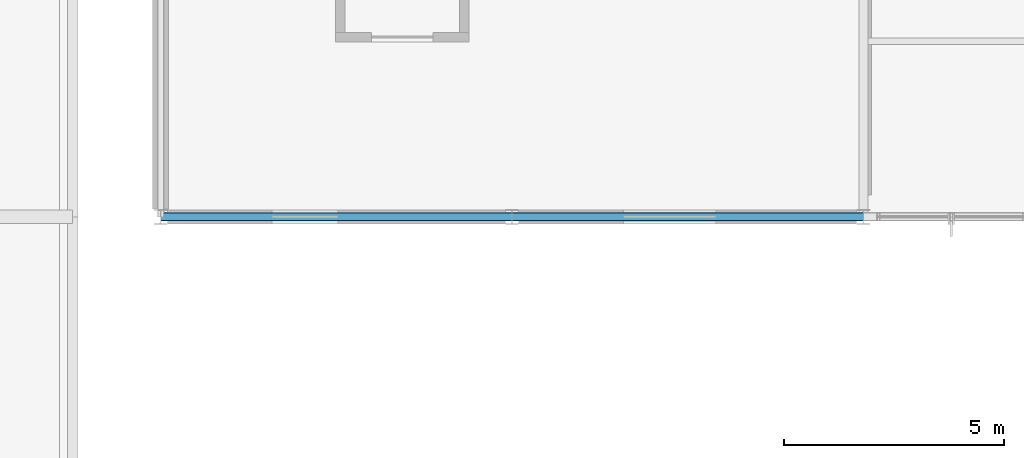
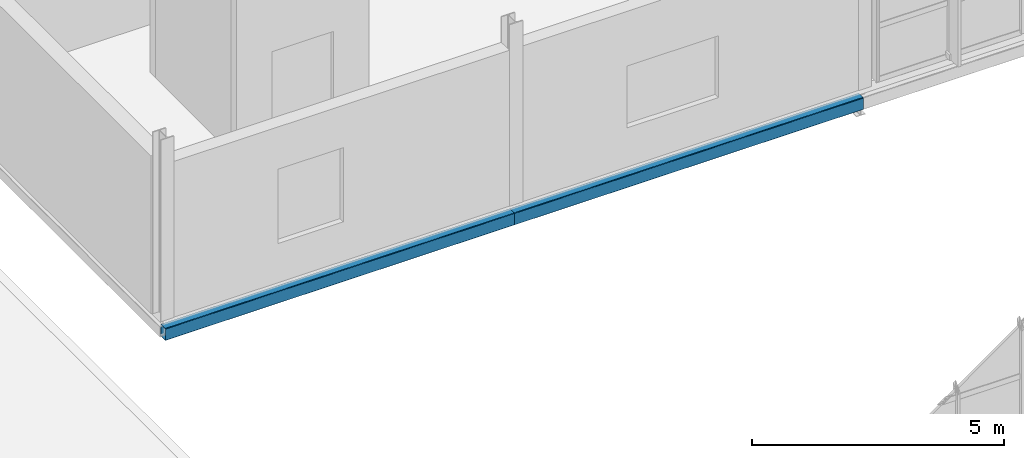
# One storey, part 79 of 153: 2 beams.
"""IFC4 building model written with IfcOpenShell, lengths in metres."""

from ifc_helpers import new_model, si_unit, derived_unit, direction, frame, origin, origin_2d, place, context, subcontext, project, spatial, hollow_rectangle, extrude, material, material_profile, profile_set, type_object, element, save


model = new_model("IFC4")

# Units and contexts
model_context = context("Model", 3, precision=1e-05, world=origin(), true_north=direction((0.0, 1.0)))
body_context = subcontext(model_context, "Body", "Model", "MODEL_VIEW")
ifc_project = project(units=[si_unit("LENGTHUNIT", "METRE"), si_unit("AREAUNIT", "SQUARE_METRE"), si_unit("VOLUMEUNIT", "CUBIC_METRE"), si_unit("PLANEANGLEUNIT", "RADIAN"), si_unit("MASSUNIT", "GRAM", prefix="KILO"), derived_unit("THERMALTRANSMITTANCEUNIT", [(si_unit("POWERUNIT", "WATT"), 1), (si_unit("LENGTHUNIT", "METRE"), -2), (si_unit("THERMODYNAMICTEMPERATUREUNIT", "KELVIN"), -1)])], contexts=[model_context])

# Site, building, storey
site_placement = place(None, origin())
site = spatial("IfcSite", under=ifc_project, at=site_placement, CompositionType="ELEMENT")
building_placement = place(site_placement, origin())
building = spatial("IfcBuilding", under=site, at=building_placement, Name="Keldorne Ridge Multi-Sports Centre", CompositionType="ELEMENT")
storey_placement = place(building_placement, frame((0.0, 0.0, 9.60009765625)))
storey = spatial("IfcBuildingStorey", under=building, at=storey_placement, Name="L02", CompositionType="ELEMENT", Elevation=9.60009765625)

# Beams
ifc_material = material(Name="Steel S355", Category="steel")
ifc_material_profile = material_profile(ifc_material, hollow_rectangle(XDim=0.199951171875, YDim=0.300048828125, WallThickness=0.012451171875, InnerFilletRadius=0.012451171875, OuterFilletRadius=0.02490234375, at=origin_2d()), Name="RHS 300x200x12.5")
ifc_profile_set = profile_set([ifc_material_profile], Name="Steel S355")
beam_type = type_object("IfcBeamType", Name="BM-SP-01", PredefinedType="SPANDREL", material=ifc_profile_set)
for number, where, z_axis, x_axis, name in (
    (1, (104.0, 66.0, -0.41015625), (1.0, 0.0, 0.0), (0.0, 1.0, 0.0), "L02 primary beam 1.66"),
    (2, (112.0, 66.0, -0.41015625), (1.0, 0.0, 0.0), (0.0, 1.0, 0.0), "L02 primary beam 2.66"),
):
    element("IfcBeam", number, at=place(storey_placement, frame(where, z_axis=z_axis, x_axis=x_axis)), inside=storey, type_object=beam_type, Name=name, PredefinedType="SPANDREL", context=body_context, shape_type="SweptSolid", body=[
        extrude(hollow_rectangle(XDim=0.199951171875, YDim=0.300048828125, WallThickness=0.012451171875, InnerFilletRadius=0.012451171875, OuterFilletRadius=0.02490234375, at=origin_2d()), origin(), (0.0, 0.0, 1.0), 8.0),
    ])

save(model, "model.ifc")
